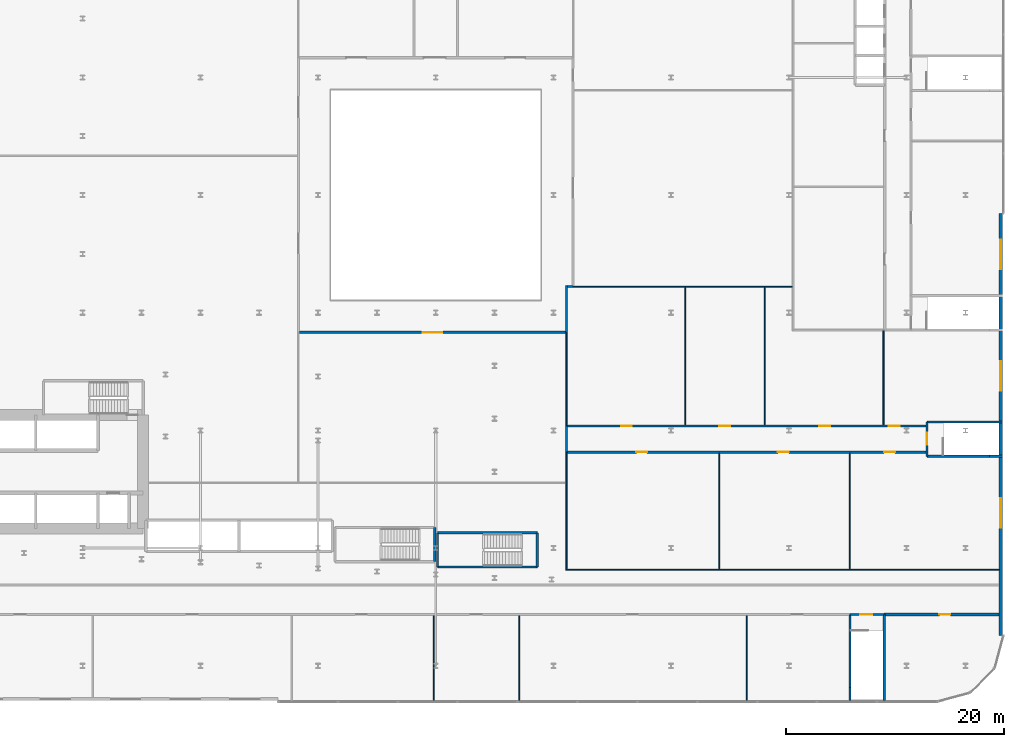
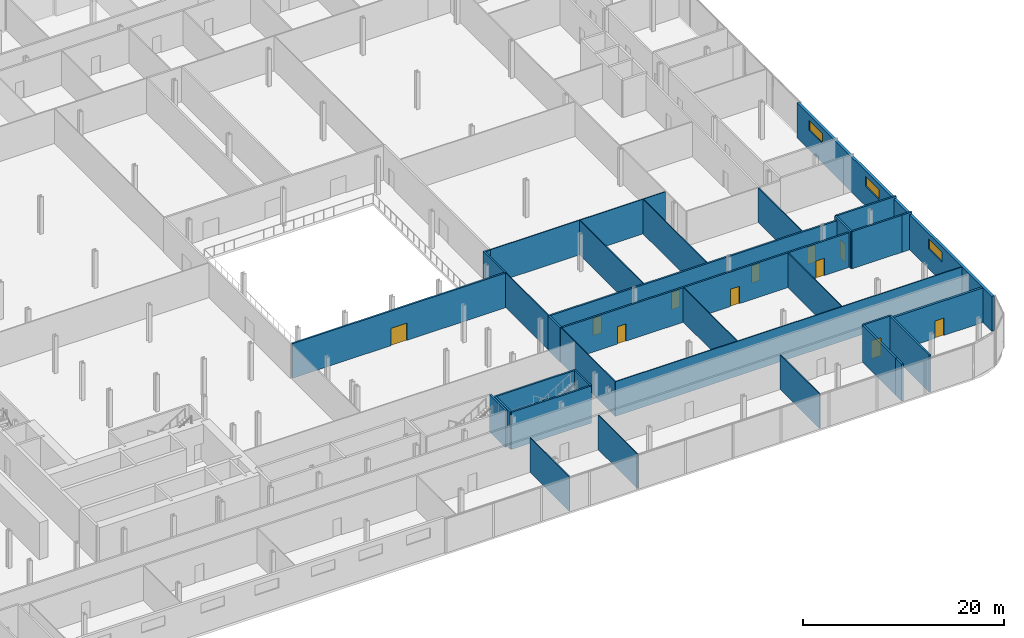
# One storey, part 32 of 43: 33 walls, 11 doors, 3 windows, 14 openings.
"""IFC4 building model written with IfcOpenShell, lengths in metres."""

import ifcopenshell
import ifcopenshell.guid

model = None  # the IFC model being written
_history = None  # IfcOwnerHistory: only IFC2X3 demands one
_inside = {}  # id of a spatial element -> (the spatial element, [elements in it])
_under = {}  # id of a project, library or spatial element -> (it, [spatial elements below it])
_declared = {}  # id of a project -> (the project, [libraries it declares])
_typed = {}  # id of a type object -> (the type object, [elements of that type])
_made_of = {}  # id of a material, layer set ... -> (it, [elements and type objects made of it])


def new_model(schema):
    """Start an empty IFC model of exactly this schema.

    Asked for "IFC4X3", IfcOpenShell would pick the latest addendum, in which some entities
    have other attributes; the version numbers below select the first issue.
    IFC2X3 requires an IfcOwnerHistory on every rooted entity: one is made here for all.
    """
    global model, _history
    if schema == "IFC4X3":
        model = ifcopenshell.file(schema_version=(4, 3, 0, 0))
    else:
        model = ifcopenshell.file(schema=schema)
    _inside.clear()
    _under.clear()
    _declared.clear()
    _typed.clear()
    _made_of.clear()
    _history = None
    if model.schema == "IFC2X3":
        org = make("IfcOrganization", Name="unknown")
        user = make(
            "IfcPersonAndOrganization",
            ThePerson=make("IfcPerson", FamilyName="unknown"),
            TheOrganization=org,
        )
        app = make(
            "IfcApplication",
            ApplicationDeveloper=org,
            Version="unknown",
            ApplicationFullName="unknown",
            ApplicationIdentifier="unknown",
        )
        _history = make(
            "IfcOwnerHistory",
            OwningUser=user,
            OwningApplication=app,
            ChangeAction="ADDED",
            CreationDate=0,
        )
    return model


def make(cls, **values):
    """One entity of the class cls with the attributes given. An attribute that is None is left unset."""
    return model.create_entity(
        cls, **{name: value for name, value in values.items() if value is not None}
    )


def rooted(cls, **values):
    """An entity with a GlobalId (a new one), such as an element, a storey or a relation."""
    return make(cls, GlobalId=ifcopenshell.guid.new(), OwnerHistory=_history, **values)


def si_unit(unit_type, name, prefix=None):
    """IfcSIUnit, for example si_unit("LENGTHUNIT", "METRE", prefix="MILLI")."""
    return make("IfcSIUnit", UnitType=unit_type, Prefix=prefix, Name=name)


def assignment(units):
    """IfcUnitAssignment: the units of a project."""
    return None if units is None else make("IfcUnitAssignment", Units=units)


def point(xyz):
    """IfcCartesianPoint."""
    return None if xyz is None else make("IfcCartesianPoint", Coordinates=xyz)


def direction(xyz):
    """IfcDirection."""
    return None if xyz is None else make("IfcDirection", DirectionRatios=xyz)


def frame(location, z_axis=None, x_axis=None):
    """IfcAxis2Placement3D, a coordinate frame: its origin and axes. An axis left out is left unset."""
    return make(
        "IfcAxis2Placement3D",
        Location=point(location),
        Axis=direction(z_axis),
        RefDirection=direction(x_axis),
    )


def frame_2d(location, x_axis=None):
    """IfcAxis2Placement2D, a coordinate frame in the plane: its origin and x axis."""
    return make(
        "IfcAxis2Placement2D", Location=point(location), RefDirection=direction(x_axis)
    )


def origin():
    """The frame at (0, 0, 0) with its axes left unset."""
    return frame((0.0, 0.0, 0.0))


def place(relative_to, where):
    """IfcLocalPlacement: puts the frame where relative to a parent placement (None: the world)."""
    return make(
        "IfcLocalPlacement", PlacementRelTo=relative_to, RelativePlacement=where
    )


def context(
    kind, dimensions, precision=None, world=None, true_north=None, identifier=None
):
    """IfcGeometricRepresentationContext, for example the 3D "Model" context."""
    return make(
        "IfcGeometricRepresentationContext",
        ContextIdentifier=identifier,
        ContextType=kind,
        CoordinateSpaceDimension=dimensions,
        Precision=precision,
        WorldCoordinateSystem=world,
        TrueNorth=true_north,
    )


def subcontext(parent, identifier, kind, view, scale=None):
    """IfcGeometricRepresentationSubContext, for example "Body" below "Model"."""
    return make(
        "IfcGeometricRepresentationSubContext",
        ContextIdentifier=identifier,
        ContextType=kind,
        ParentContext=parent,
        TargetScale=scale,
        TargetView=view,
    )


def project(units=None, contexts=None):
    """IfcProject with its units and contexts."""
    return rooted(
        "IfcProject",
        Name="project",
        RepresentationContexts=contexts,
        UnitsInContext=assignment(units),
    )


def spatial(cls, under=None, at=None, **own):
    """A site, building, storey or space (cls), placed at a placement, below another one or the project."""
    s = rooted(cls, ObjectPlacement=at, **own)
    if under is not None:
        _under.setdefault(under.id(), (under, []))[1].append(s)
    return s


def profile(cls, at=None, kind="AREA", **sizes):
    """A parametric profile (cls). Its sizes go by their IFC names, for example OverallWidth=200.0."""
    return make(cls, ProfileType=kind, Position=at, **sizes)


def rectangle(**sizes):
    """IfcRectangleProfileDef."""
    return profile("IfcRectangleProfileDef", **sizes)


def extrude(swept, where, along, depth):
    """IfcExtrudedAreaSolid: the profile swept, set in the frame where, extruded along a direction by depth."""
    return make(
        "IfcExtrudedAreaSolid",
        SweptArea=swept,
        Position=where,
        ExtrudedDirection=direction(along),
        Depth=depth,
    )


def shape(context_of_items, identifier, shape_type, items):
    """IfcShapeRepresentation: the items that make up one representation, for example the "Body"."""
    return make(
        "IfcShapeRepresentation",
        ContextOfItems=context_of_items,
        RepresentationIdentifier=identifier,
        RepresentationType=shape_type,
        Items=items,
    )


def source(mapping_origin, context_of_items, identifier, shape_type, items):
    """IfcRepresentationMap: a shape defined once, which mapped items show again and again."""
    return make(
        "IfcRepresentationMap",
        MappingOrigin=mapping_origin,
        MappedRepresentation=shape(context_of_items, identifier, shape_type, items),
    )


def transform(
    local_origin,
    x_axis=None,
    y_axis=None,
    z_axis=None,
    scale=None,
    scale2=None,
    scale3=None,
    uniform=True,
):
    """IfcCartesianTransformationOperator3D, or its non-uniform kind. x_axis, y_axis, z_axis: its Axis1, 2, 3."""
    if uniform:
        return make(
            "IfcCartesianTransformationOperator3D",
            Axis1=direction(x_axis),
            Axis2=direction(y_axis),
            LocalOrigin=point(local_origin),
            Scale=scale,
            Axis3=direction(z_axis),
        )
    return make(
        "IfcCartesianTransformationOperator3DnonUniform",
        Axis1=direction(x_axis),
        Axis2=direction(y_axis),
        LocalOrigin=point(local_origin),
        Scale=scale,
        Axis3=direction(z_axis),
        Scale2=scale2,
        Scale3=scale3,
    )


def mapped(mapping_source, mapping_target):
    """IfcMappedItem: shows the shape of a source again, moved by a transform."""
    return make(
        "IfcMappedItem", MappingSource=mapping_source, MappingTarget=mapping_target
    )


def material(Name=None, Category=None):
    """IfcMaterial."""
    return make("IfcMaterial", Name=Name, Category=Category)


def layer(
    of_material, thickness, ventilated=None, Name=None, Category=None, Priority=None
):
    """IfcMaterialLayer: one layer of a wall or slab, of a material (None: an air gap)."""
    return make(
        "IfcMaterialLayer",
        Material=of_material,
        LayerThickness=thickness,
        IsVentilated=ventilated,
        Name=Name,
        Category=Category,
        Priority=Priority,
    )


def layer_set(layers, Name=None):
    """IfcMaterialLayerSet."""
    return make("IfcMaterialLayerSet", MaterialLayers=layers, LayerSetName=Name)


def made_of(thing, what):
    """Note that an element or type object is made of a material, layer set ...; save() writes the relation."""
    if what is not None:
        _made_of.setdefault(what.id(), (what, []))[1].append(thing)
    return thing


def type_object(cls, material=None, **own):
    """A type object (cls), such as IfcWallType, which elements share."""
    return made_of(rooted(cls, **own), material)


def element(
    cls,
    number,
    at=None,
    inside=None,
    cuts=None,
    type_object=None,
    material=None,
    context=None,
    identifier="Body",
    shape_type=None,
    held_by="IfcProductDefinitionShape",
    body=None,
    shapes=None,
    **own,
):
    """One element of the class cls, such as IfcWall. Its Tag is "e" and its number.

    at: its placement. inside: the storey or other place that contains it. cuts: it is an
    opening in that element (IfcRelVoidsElement). A single representation is given by context,
    identifier, shape_type and body (its items); several are given by shapes. held_by: the class
    of the entity that holds the representations. save() writes the other relations.
    """
    e = rooted(cls, Tag="e%d" % number, ObjectPlacement=at, **own)
    if body is not None:
        shapes = [shape(context, identifier, shape_type, body)]
    if shapes is not None:
        e.Representation = make(held_by, Representations=shapes)
    if inside is not None:
        _inside.setdefault(inside.id(), (inside, []))[1].append(e)
    if cuts is not None:
        rooted(
            "IfcRelVoidsElement", RelatingBuildingElement=cuts, RelatedOpeningElement=e
        )
    if type_object is not None:
        _typed.setdefault(type_object.id(), (type_object, []))[1].append(e)
    return made_of(e, material)


def fill(opening, filler):
    """IfcRelFillsElement: the door or window that sits in an opening."""
    return rooted(
        "IfcRelFillsElement",
        RelatingOpeningElement=opening,
        RelatedBuildingElement=filler,
    )


def aggregate(whole, parts):
    """IfcRelAggregates: a whole, such as a stair, and the parts it consists of."""
    return rooted("IfcRelAggregates", RelatingObject=whole, RelatedObjects=parts)


def save(model, path):
    """Write the relations noted so far, then the file.

    IfcRelAggregates (storeys below a building ...), IfcRelContainedInSpatialStructure (elements
    in a storey), IfcRelDefinesByType, IfcRelAssociatesMaterial and IfcRelDeclares: one each for
    every whole, place, type object, material and project.
    """
    for whole, parts in _under.values():
        aggregate(whole, parts)
    for where, things in _inside.values():
        rooted(
            "IfcRelContainedInSpatialStructure",
            RelatedElements=things,
            RelatingStructure=where,
        )
    for kind, things in _typed.values():
        rooted("IfcRelDefinesByType", RelatedObjects=things, RelatingType=kind)
    for what, things in _made_of.values():
        rooted("IfcRelAssociatesMaterial", RelatedObjects=things, RelatingMaterial=what)
    for by, libraries in _declared.values():
        rooted("IfcRelDeclares", RelatingContext=by, RelatedDefinitions=libraries)
    model.write(path)


model = new_model("IFC4")

# Units and contexts
model_context = context("Model", 3, precision=1e-05, world=origin(), true_north=direction((0.0, 1.0)))
body_context = subcontext(model_context, "Body", "Model", "MODEL_VIEW")
ifc_project = project(units=[si_unit("LENGTHUNIT", "METRE"), si_unit("AREAUNIT", "SQUARE_METRE"), si_unit("VOLUMEUNIT", "CUBIC_METRE"), si_unit("PLANEANGLEUNIT", "RADIAN"), si_unit("MASSUNIT", "GRAM", prefix="KILO")], contexts=[model_context])

# Site, building, storey
site_placement = place(None, origin())
site = spatial("IfcSite", under=ifc_project, at=site_placement, CompositionType="ELEMENT")
building_placement = place(site_placement, origin())
building = spatial("IfcBuilding", under=site, at=building_placement, Name="Kheshtan School and Residences Tower", CompositionType="ELEMENT")
storey_placement = place(building_placement, frame((0.0, 0.0, 26.0)))
storey = spatial("IfcBuildingStorey", under=building, at=storey_placement, Name="L05", CompositionType="ELEMENT", Elevation=26.0)

# Wall, opening, door
ifc_material_1 = material(Name="Gypsum board on steel studs with fire boards", Category="steel")
ifc_layer_1 = layer(ifc_material_1, 0.199951171875)
ifc_layer_set_1 = layer_set([ifc_layer_1], Name="Corridor wall 200")
wall_type_1 = type_object("IfcWallType", Name="Corridor wall 200", PredefinedType="PARTITIONING", material=ifc_layer_set_1)
wall_1_placement = place(storey_placement, frame((67.5, 43.800048828125, 0.0), z_axis=(0.0, 0.0, 1.0), x_axis=(1.0, 0.0, 0.0)))
wall_1 = element("IfcWall", 1, at=wall_1_placement, inside=storey, type_object=wall_type_1, Name="Partition L05-032", PredefinedType="PARTITIONING", context=body_context, shape_type="SweptSolid", body=[
    extrude(rectangle(XDim=24.39990234375, YDim=0.199951171875, at=frame_2d((12.199951171875, 0.0))), origin(), (0.0, 0.0, 1.0), 4.199951171875),
])
opening_1_placement = place(wall_1_placement, frame((11.300048828125, 0.0, 0.0)))
opening_1 = element("IfcOpeningElement", 2, at=opening_1_placement, cuts=wall_1, Name="Opening D05-044", PredefinedType="OPENING", context=body_context, shape_type="SweptSolid", body=[
    extrude(rectangle(XDim=1.800048828125, YDim=2.10009765625, at=frame_2d((0.89990234375, 1.050048828125))), frame((0.0, 0.10986328125, 0.0), z_axis=(0.0, -1.0, 0.0), x_axis=(1.0, 0.0, 0.0)), (0.0, 0.0, 1.0), 0.219970703125),
])
ifc_material_2 = material(Name="Steel-framed fire-resisting door leaf", Category="steel")
door_type_1 = type_object("IfcDoorType", Name="Fire double door FD60 1800 x 2100", OperationType="DOUBLE_DOOR_SINGLE_SWING", PredefinedType="DOOR", material=ifc_material_2)
shared_shape_1 = source(origin(), body_context, "Body", "SweptSolid", [
    extrude(rectangle(XDim=1.800048828125, YDim=2.10009765625, at=frame_2d((0.89990234375, 1.050048828125))), frame((0.0, 0.02490234375, 0.0), z_axis=(0.0, -1.0, 0.0), x_axis=(1.0, 0.0, 0.0)), (0.0, 0.0, 1.0), 0.050048828125),
])
door_1_placement = place(opening_1_placement, origin())
door_1 = element("IfcDoor", 3, at=door_1_placement, inside=storey, type_object=door_type_1, Name="Door D05-044", OperationType="DOUBLE_DOOR_SINGLE_SWING", OverallHeight=2.10009765625, OverallWidth=1.800048828125, PredefinedType="DOOR", context=body_context, shape_type="MappedRepresentation", body=[
    mapped(shared_shape_1, transform((0.0, 0.0, 0.0), x_axis=(1.0, 0.0, 0.0), y_axis=(0.0, 1.0, 0.0), z_axis=(0.0, 0.0, 1.0), scale=1.0)),
])
fill(opening_1, door_1)

# Walls
wall_2_placement = place(storey_placement, frame((92.0, 32.800048828125, 0.0), z_axis=(0.0, 0.0, 1.0), x_axis=(0.0, 1.0, 0.0)))
element("IfcWall", 4, at=wall_2_placement, inside=storey, type_object=wall_type_1, Name="Partition L05-047", PredefinedType="PARTITIONING", context=body_context, shape_type="SweptSolid", body=[
    extrude(rectangle(XDim=2.39990234375, YDim=0.199951171875, at=frame_2d((1.199951171875, 0.0))), origin(), (0.0, 0.0, 1.0), 4.199951171875),
])
wall_3_placement = place(storey_placement, frame((92.0, 43.800048828125, 0.0), z_axis=(0.0, 0.0, 1.0), x_axis=(0.0, 1.0, 0.0)))
element("IfcWall", 5, at=wall_3_placement, inside=storey, type_object=wall_type_1, Name="Partition L05-049", PredefinedType="PARTITIONING", context=body_context, shape_type="SweptSolid", body=[
    extrude(rectangle(XDim=4.300048828125, YDim=0.199951171875, at=frame_2d((2.14990234375, 0.0))), origin(), (0.0, 0.0, 1.0), 4.199951171875),
])

# Wall, openings, doors
wall_4_placement = place(storey_placement, frame((92.10009765625, 32.800048828125, 0.0), z_axis=(0.0, 0.0, 1.0), x_axis=(1.0, 0.0, 0.0)))
wall_4 = element("IfcWall", 6, at=wall_4_placement, inside=storey, type_object=wall_type_1, Name="Partition L05-050", PredefinedType="PARTITIONING", context=body_context, shape_type="SweptSolid", body=[
    extrude(rectangle(XDim=32.880859375, YDim=0.199951171875, at=frame_2d((16.4404296875, 0.0))), origin(), (0.0, 0.0, 1.0), 4.199951171875),
])
opening_2_placement = place(wall_4_placement, frame((6.300048828125, 0.0, 0.0)))
opening_2 = element("IfcOpeningElement", 7, at=opening_2_placement, cuts=wall_4, Name="Opening D05-045", PredefinedType="OPENING", context=body_context, shape_type="SweptSolid", body=[
    extrude(rectangle(XDim=1.0, YDim=2.10009765625, at=frame_2d((0.5, 1.050048828125))), frame((0.0, 0.10986328125, 0.0), z_axis=(0.0, -1.0, 0.0), x_axis=(1.0, 0.0, 0.0)), (0.0, 0.0, 1.0), 0.219970703125),
])
opening_3_placement = place(wall_4_placement, frame((19.300048828125, 0.0, 0.0)))
opening_3 = element("IfcOpeningElement", 8, at=opening_3_placement, cuts=wall_4, Name="Opening D05-046", PredefinedType="OPENING", context=body_context, shape_type="SweptSolid", body=[
    extrude(rectangle(XDim=1.0, YDim=2.10009765625, at=frame_2d((0.5, 1.050048828125))), frame((0.0, 0.10986328125, 0.0), z_axis=(0.0, -1.0, 0.0), x_axis=(1.0, 0.0, 0.0)), (0.0, 0.0, 1.0), 0.219970703125),
])
opening_4_placement = place(wall_4_placement, frame((29.050048828125, 0.0, 0.0)))
opening_4 = element("IfcOpeningElement", 9, at=opening_4_placement, cuts=wall_4, Name="Opening D05-047", PredefinedType="OPENING", context=body_context, shape_type="SweptSolid", body=[
    extrude(rectangle(XDim=1.0, YDim=2.10009765625, at=frame_2d((0.5, 1.050048828125))), frame((0.0, 0.10986328125, 0.0), z_axis=(0.0, -1.0, 0.0), x_axis=(1.0, 0.0, 0.0)), (0.0, 0.0, 1.0), 0.219970703125),
])
door_type_2 = type_object("IfcDoorType", Name="Fire door FD60 1000 x 2100", OperationType="SINGLE_SWING_LEFT", PredefinedType="DOOR", material=ifc_material_2)
shared_shape_2 = source(origin(), body_context, "Body", "SweptSolid", [
    extrude(rectangle(XDim=1.0, YDim=2.10009765625, at=frame_2d((0.5, 1.050048828125))), frame((0.0, 0.02490234375, 0.0), z_axis=(0.0, -1.0, 0.0), x_axis=(1.0, 0.0, 0.0)), (0.0, 0.0, 1.0), 0.050048828125),
])
door_2_placement = place(opening_2_placement, origin())
door_2 = element("IfcDoor", 10, at=door_2_placement, inside=storey, type_object=door_type_2, Name="Door D05-045", OperationType="SINGLE_SWING_RIGHT", OverallHeight=2.10009765625, OverallWidth=1.0, PredefinedType="DOOR", context=body_context, shape_type="MappedRepresentation", body=[
    mapped(shared_shape_2, transform((0.0, 0.0, 0.0), x_axis=(1.0, 0.0, 0.0), y_axis=(0.0, 1.0, 0.0), z_axis=(0.0, 0.0, 1.0), scale=1.0)),
])
fill(opening_2, door_2)
door_3_placement = place(opening_3_placement, origin())
door_3 = element("IfcDoor", 11, at=door_3_placement, inside=storey, type_object=door_type_2, Name="Door D05-046", OperationType="SINGLE_SWING_RIGHT", OverallHeight=2.10009765625, OverallWidth=1.0, PredefinedType="DOOR", context=body_context, shape_type="MappedRepresentation", body=[
    mapped(shared_shape_2, transform((0.0, 0.0, 0.0), x_axis=(1.0, 0.0, 0.0), y_axis=(0.0, 1.0, 0.0), z_axis=(0.0, 0.0, 1.0), scale=1.0)),
])
fill(opening_3, door_3)
door_4_placement = place(opening_4_placement, origin())
door_4 = element("IfcDoor", 12, at=door_4_placement, inside=storey, type_object=door_type_2, Name="Door D05-047", OperationType="SINGLE_SWING_LEFT", OverallHeight=2.10009765625, OverallWidth=1.0, PredefinedType="DOOR", context=body_context, shape_type="MappedRepresentation", body=[
    mapped(shared_shape_2, transform((0.0, 0.0, 0.0), x_axis=(1.0, 0.0, 0.0), y_axis=(0.0, 1.0, 0.0), z_axis=(0.0, 0.0, 1.0), scale=1.0)),
])
fill(opening_4, door_4)

wall_5_placement = place(storey_placement, frame((92.10009765625, 35.199951171875, 0.0), z_axis=(0.0, 0.0, 1.0), x_axis=(1.0, 0.0, 0.0)))
wall_5 = element("IfcWall", 13, at=wall_5_placement, inside=storey, type_object=wall_type_1, Name="Partition L05-051", PredefinedType="PARTITIONING", context=body_context, shape_type="SweptSolid", body=[
    extrude(rectangle(XDim=32.8798828125, YDim=0.199951171875, at=frame_2d((16.43994140625, 0.0))), origin(), (0.0, 0.0, 1.0), 4.199951171875),
])
opening_5_placement = place(wall_5_placement, frame((4.908935546875, 0.0, 0.0)))
opening_5 = element("IfcOpeningElement", 14, at=opening_5_placement, cuts=wall_5, Name="Opening D05-048", PredefinedType="OPENING", context=body_context, shape_type="SweptSolid", body=[
    extrude(rectangle(XDim=1.0, YDim=2.10009765625, at=frame_2d((0.5, 1.050048828125))), frame((0.0, 0.10986328125, 0.0), z_axis=(0.0, -1.0, 0.0), x_axis=(1.0, 0.0, 0.0)), (0.0, 0.0, 1.0), 0.219970703125),
])
opening_6_placement = place(wall_5_placement, frame((13.931884765625, 0.0, 0.0)))
opening_6 = element("IfcOpeningElement", 15, at=opening_6_placement, cuts=wall_5, Name="Opening D05-049", PredefinedType="OPENING", context=body_context, shape_type="SweptSolid", body=[
    extrude(rectangle(XDim=1.0, YDim=2.10009765625, at=frame_2d((0.5, 1.050048828125))), frame((0.0, 0.10986328125, 0.0), z_axis=(0.0, -1.0, 0.0), x_axis=(1.0, 0.0, 0.0)), (0.0, 0.0, 1.0), 0.219970703125),
])
opening_7_placement = place(wall_5_placement, frame((23.091064453125, 0.0, 0.0)))
opening_7 = element("IfcOpeningElement", 16, at=opening_7_placement, cuts=wall_5, Name="Opening D05-050", PredefinedType="OPENING", context=body_context, shape_type="SweptSolid", body=[
    extrude(rectangle(XDim=1.0, YDim=2.10009765625, at=frame_2d((0.5, 1.050048828125))), frame((0.0, 0.10986328125, 0.0), z_axis=(0.0, -1.0, 0.0), x_axis=(1.0, 0.0, 0.0)), (0.0, 0.0, 1.0), 0.219970703125),
])
opening_8_placement = place(wall_5_placement, frame((29.47705078125, 0.0, 0.0)))
opening_8 = element("IfcOpeningElement", 17, at=opening_8_placement, cuts=wall_5, Name="Opening D05-051", PredefinedType="OPENING", context=body_context, shape_type="SweptSolid", body=[
    extrude(rectangle(XDim=1.0, YDim=2.10009765625, at=frame_2d((0.5, 1.050048828125))), frame((0.0, 0.10986328125, 0.0), z_axis=(0.0, -1.0, 0.0), x_axis=(1.0, 0.0, 0.0)), (0.0, 0.0, 1.0), 0.219970703125),
])
door_5_placement = place(opening_5_placement, origin())
door_5 = element("IfcDoor", 18, at=door_5_placement, inside=storey, type_object=door_type_2, Name="Door D05-048", OperationType="SINGLE_SWING_LEFT", OverallHeight=2.10009765625, OverallWidth=1.0, PredefinedType="DOOR", context=body_context, shape_type="MappedRepresentation", body=[
    mapped(shared_shape_2, transform((0.0, 0.0, 0.0), x_axis=(1.0, 0.0, 0.0), y_axis=(0.0, 1.0, 0.0), z_axis=(0.0, 0.0, 1.0), scale=1.0)),
])
fill(opening_5, door_5)
door_6_placement = place(opening_6_placement, origin())
door_6 = element("IfcDoor", 19, at=door_6_placement, inside=storey, type_object=door_type_2, Name="Door D05-049", OperationType="SINGLE_SWING_LEFT", OverallHeight=2.10009765625, OverallWidth=1.0, PredefinedType="DOOR", context=body_context, shape_type="MappedRepresentation", body=[
    mapped(shared_shape_2, transform((0.0, 0.0, 0.0), x_axis=(1.0, 0.0, 0.0), y_axis=(0.0, 1.0, 0.0), z_axis=(0.0, 0.0, 1.0), scale=1.0)),
])
fill(opening_6, door_6)
door_7_placement = place(opening_7_placement, origin())
door_7 = element("IfcDoor", 20, at=door_7_placement, inside=storey, type_object=door_type_2, Name="Door D05-050", OperationType="SINGLE_SWING_LEFT", OverallHeight=2.10009765625, OverallWidth=1.0, PredefinedType="DOOR", context=body_context, shape_type="MappedRepresentation", body=[
    mapped(shared_shape_2, transform((0.0, 0.0, 0.0), x_axis=(1.0, 0.0, 0.0), y_axis=(0.0, 1.0, 0.0), z_axis=(0.0, 0.0, 1.0), scale=1.0)),
])
fill(opening_7, door_7)
door_8_placement = place(opening_8_placement, origin())
door_8 = element("IfcDoor", 21, at=door_8_placement, inside=storey, type_object=door_type_2, Name="Door D05-051", OperationType="SINGLE_SWING_LEFT", OverallHeight=2.10009765625, OverallWidth=1.0, PredefinedType="DOOR", context=body_context, shape_type="MappedRepresentation", body=[
    mapped(shared_shape_2, transform((0.0, 0.0, 0.0), x_axis=(1.0, 0.0, 0.0), y_axis=(0.0, 1.0, 0.0), z_axis=(0.0, 0.0, 1.0), scale=1.0)),
])
fill(opening_8, door_8)

# Walls
wall_6_placement = place(storey_placement, frame((92.10009765625, 48.0, 0.0), z_axis=(0.0, 0.0, 1.0), x_axis=(1.0, 0.0, 0.0)))
element("IfcWall", 22, at=wall_6_placement, inside=storey, type_object=wall_type_1, Name="Partition L05-052", PredefinedType="PARTITIONING", context=body_context, shape_type="SweptSolid", body=[
    extrude(rectangle(XDim=0.5, YDim=0.199951171875, at=frame_2d((0.25, 0.0))), origin(), (0.0, 0.0, 1.0), 4.199951171875),
])
ifc_material_3 = material(Name="Gypsum board on steel studs", Category="steel")
ifc_layer_2 = layer(ifc_material_3, 0.10009765625)
ifc_layer_set_2 = layer_set([ifc_layer_2], Name="Gypsum partition 100")
wall_type_2 = type_object("IfcWallType", Name="Gypsum partition 100", PredefinedType="PARTITIONING", material=ifc_layer_set_2)
for number, where, z_axis, x_axis, name in (
    (23, (79.825927734375, 10.0, 0.0), (0.0, 0.0, 1.0), (0.0, 1.0, 0.0), "Partition L05-038"),
    (24, (87.652099609375, 10.0, 0.0), (0.0, 0.0, 1.0), (0.0, 1.0, 0.0), "Partition L05-044"),
):
    element("IfcWall", number, at=place(storey_placement, frame(where, z_axis=z_axis, x_axis=x_axis)), inside=storey, type_object=wall_type_2, Name=name, PredefinedType="PARTITIONING", context=body_context, shape_type="SweptSolid", body=[
        extrude(rectangle(XDim=7.800048828125, YDim=0.10009765625, at=frame_2d((3.89990234375, 0.0))), origin(), (0.0, 0.0, 1.0), 4.199951171875),
    ])
wall_7_placement = place(storey_placement, frame((91.949951171875, 22.0, 0.0), z_axis=(0.0, 0.0, 1.0), x_axis=(1.0, 0.0, 0.0)))
element("IfcWall", 25, at=wall_7_placement, inside=storey, type_object=wall_type_2, Name="Partition L05-045", PredefinedType="PARTITIONING", context=body_context, shape_type="SweptSolid", body=[
    extrude(rectangle(XDim=39.7509765625, YDim=0.10009765625, at=frame_2d((19.87548828125, 0.0))), origin(), (0.0, 0.0, 1.0), 4.199951171875),
])
wall_8_placement = place(storey_placement, frame((92.0, 22.050048828125, 0.0), z_axis=(0.0, 0.0, 1.0), x_axis=(0.0, 1.0, 0.0)))
element("IfcWall", 26, at=wall_8_placement, inside=storey, type_object=wall_type_2, Name="Partition L05-046", PredefinedType="PARTITIONING", context=body_context, shape_type="SweptSolid", body=[
    extrude(rectangle(XDim=10.75, YDim=0.10009765625, at=frame_2d((5.375, 0.0))), origin(), (0.0, 0.0, 1.0), 4.199951171875),
])
wall_9_placement = place(storey_placement, frame((92.0, 35.199951171875, 0.0), z_axis=(0.0, 0.0, 1.0), x_axis=(0.0, 1.0, 0.0)))
element("IfcWall", 27, at=wall_9_placement, inside=storey, type_object=wall_type_2, Name="Partition L05-048", PredefinedType="PARTITIONING", context=body_context, shape_type="SweptSolid", body=[
    extrude(rectangle(XDim=8.60009765625, YDim=0.10009765625, at=frame_2d((4.300048828125, 0.0))), origin(), (0.0, 0.0, 1.0), 4.199951171875),
])
wall_10_placement = place(storey_placement, frame((92.60009765625, 48.0, 0.0), z_axis=(0.0, 0.0, 1.0), x_axis=(1.0, 0.0, 0.0)))
element("IfcWall", 28, at=wall_10_placement, inside=storey, type_object=wall_type_2, Name="Partition L05-053", PredefinedType="PARTITIONING", context=body_context, shape_type="SweptSolid", body=[
    extrude(rectangle(XDim=20.137939453125, YDim=0.10009765625, at=frame_2d((10.06884765625, 0.0))), origin(), (0.0, 0.0, 1.0), 4.199951171875),
])
wall_11_placement = place(storey_placement, frame((102.908935546875, 35.300048828125, 0.0), z_axis=(0.0, 0.0, 1.0), x_axis=(0.0, 1.0, 0.0)))
element("IfcWall", 29, at=wall_11_placement, inside=storey, type_object=wall_type_2, Name="Partition L05-061", PredefinedType="PARTITIONING", context=body_context, shape_type="SweptSolid", body=[
    extrude(rectangle(XDim=12.64990234375, YDim=0.10009765625, at=frame_2d((6.324951171875, 0.0))), origin(), (0.0, 0.0, 1.0), 4.199951171875),
])
wall_12_placement = place(storey_placement, frame((106.0, 22.050048828125, 0.0), z_axis=(0.0, 0.0, 1.0), x_axis=(0.0, 1.0, 0.0)))
element("IfcWall", 30, at=wall_12_placement, inside=storey, type_object=wall_type_2, Name="Partition L05-062", PredefinedType="PARTITIONING", context=body_context, shape_type="SweptSolid", body=[
    extrude(rectangle(XDim=10.64990234375, YDim=0.10009765625, at=frame_2d((5.324951171875, 0.0))), origin(), (0.0, 0.0, 1.0), 4.199951171875),
])
wall_13_placement = place(storey_placement, frame((108.52197265625, 10.0, 0.0), z_axis=(0.0, 0.0, 1.0), x_axis=(0.0, 1.0, 0.0)))
element("IfcWall", 31, at=wall_13_placement, inside=storey, type_object=wall_type_2, Name="Partition L05-064", PredefinedType="PARTITIONING", context=body_context, shape_type="SweptSolid", body=[
    extrude(rectangle(XDim=7.800048828125, YDim=0.10009765625, at=frame_2d((3.89990234375, 0.0))), origin(), (0.0, 0.0, 1.0), 4.199951171875),
])
wall_14_placement = place(storey_placement, frame((110.181884765625, 35.300048828125, 0.0), z_axis=(0.0, 0.0, 1.0), x_axis=(0.0, 1.0, 0.0)))
element("IfcWall", 32, at=wall_14_placement, inside=storey, type_object=wall_type_2, Name="Partition L05-065", PredefinedType="PARTITIONING", context=body_context, shape_type="SweptSolid", body=[
    extrude(rectangle(XDim=12.64990234375, YDim=0.10009765625, at=frame_2d((6.324951171875, 0.0))), origin(), (0.0, 0.0, 1.0), 4.199951171875),
])
wall_15_placement = place(storey_placement, frame((118.0, 22.050048828125, 0.0), z_axis=(0.0, 0.0, 1.0), x_axis=(0.0, 1.0, 0.0)))
element("IfcWall", 33, at=wall_15_placement, inside=storey, type_object=wall_type_2, Name="Partition L05-074", PredefinedType="PARTITIONING", context=body_context, shape_type="SweptSolid", body=[
    extrude(rectangle(XDim=10.64990234375, YDim=0.10009765625, at=frame_2d((5.324951171875, 0.0))), origin(), (0.0, 0.0, 1.0), 4.199951171875),
])
wall_16_placement = place(storey_placement, frame((121.091064453125, 35.300048828125, 0.0), z_axis=(0.0, 0.0, 1.0), x_axis=(0.0, 1.0, 0.0)))
element("IfcWall", 34, at=wall_16_placement, inside=storey, type_object=wall_type_2, Name="Partition L05-079", PredefinedType="PARTITIONING", context=body_context, shape_type="SweptSolid", body=[
    extrude(rectangle(XDim=8.637939453125, YDim=0.10009765625, at=frame_2d((4.31884765625, 0.0))), origin(), (0.0, 0.0, 1.0), 4.199951171875),
])

# Wall, opening, door
ifc_material_4 = material(Name="Fire-board and steel stud wall with mineral wool", Category="steel")
ifc_layer_3 = layer(ifc_material_4, 0.25)
ifc_layer_set_3 = layer_set([ifc_layer_3], Name="Plant room wall 250")
wall_type_3 = type_object("IfcWallType", Name="Plant room wall 250", PredefinedType="PARTITIONING", material=ifc_layer_set_3)
wall_17_placement = place(storey_placement, frame((121.14990234375, 17.89990234375, 0.0), z_axis=(0.0, 0.0, 1.0), x_axis=(1.0, 0.0, 0.0)))
wall_17 = element("IfcWall", 35, at=wall_17_placement, inside=storey, type_object=wall_type_3, Name="Partition L05-080", PredefinedType="PARTITIONING", context=body_context, shape_type="SweptSolid", body=[
    extrude(rectangle(XDim=10.551025390625, YDim=0.25, at=frame_2d((5.275390625, 0.0))), origin(), (0.0, 0.0, 1.0), 4.199951171875),
])
opening_9_placement = place(wall_17_placement, frame((5.06494140625, 0.0, 0.0)))
opening_9 = element("IfcOpeningElement", 36, at=opening_9_placement, cuts=wall_17, Name="Opening D05-043", PredefinedType="OPENING", context=body_context, shape_type="SweptSolid", body=[
    extrude(rectangle(XDim=1.0, YDim=2.10009765625, at=frame_2d((0.5, 1.050048828125))), frame((0.0, 0.135009765625, 0.0), z_axis=(0.0, -1.0, 0.0), x_axis=(1.0, 0.0, 0.0)), (0.0, 0.0, 1.0), 0.27001953125),
])
door_type_3 = type_object("IfcDoorType", Name="Fire door FD120 1000 x 2100", OperationType="SINGLE_SWING_LEFT", PredefinedType="DOOR", material=ifc_material_2)
shared_shape_3 = source(origin(), body_context, "Body", "SweptSolid", [
    extrude(rectangle(XDim=1.0, YDim=2.10009765625, at=frame_2d((0.5, 1.050048828125))), frame((0.0, 0.02490234375, 0.0), z_axis=(0.0, -1.0, 0.0), x_axis=(1.0, 0.0, 0.0)), (0.0, 0.0, 1.0), 0.050048828125),
])
door_9_placement = place(opening_9_placement, origin())
door_9 = element("IfcDoor", 37, at=door_9_placement, inside=storey, type_object=door_type_3, Name="Door D05-043", OperationType="SINGLE_SWING_RIGHT", OverallHeight=2.10009765625, OverallWidth=1.0, PredefinedType="DOOR", context=body_context, shape_type="MappedRepresentation", body=[
    mapped(shared_shape_3, transform((0.0, 0.0, 0.0), x_axis=(1.0, 0.0, 0.0), y_axis=(0.0, 1.0, 0.0), z_axis=(0.0, 0.0, 1.0), scale=1.0)),
])
fill(opening_9, door_9)

# Wall, openings, windows
ifc_material_5 = material(Name="Concrete C40/50 with ceramic cladding and mineral wool insulation", Category="concrete")
ifc_layer_4 = layer(ifc_material_5, 0.300048828125)
ifc_layer_set_4 = layer_set([ifc_layer_4], Name="Podium external wall 300")
wall_type_4 = type_object("IfcWallType", Name="Podium external wall 300", PredefinedType="SOLIDWALL", material=ifc_layer_set_4)
wall_18_placement = place(storey_placement, frame((131.85009765625, 54.719970703125, 0.0), z_axis=(0.0, 0.0, 1.0), x_axis=(0.0, -1.0, 0.0)))
wall_18 = element("IfcWall", 38, at=wall_18_placement, inside=storey, type_object=wall_type_4, Name="Podium external wall L05 8.1", PredefinedType="SOLIDWALL", context=body_context, shape_type="SweptSolid", body=[
    extrude(rectangle(XDim=38.719970703125, YDim=0.300048828125, at=frame_2d((19.35986328125, 0.0))), origin(), (0.0, 0.0, 1.0), 4.25),
])
opening_10_placement = place(wall_18_placement, frame((2.43505859375, 0.0, 2.39990234375)))
opening_10 = element("IfcOpeningElement", 39, at=opening_10_placement, cuts=wall_18, Name="Opening WN-G", PredefinedType="OPENING", context=body_context, shape_type="SweptSolid", body=[
    extrude(rectangle(XDim=2.699951171875, YDim=1.199951171875, at=frame_2d((1.35009765625, 0.60009765625))), frame((0.0, 0.16015625, 0.0), z_axis=(0.0, -1.0, 0.0), x_axis=(1.0, 0.0, 0.0)), (0.0, 0.0, 1.0), 0.320068359375),
])
opening_11_placement = place(wall_18_placement, frame((13.580078125, 0.0, 2.39990234375)))
opening_11 = element("IfcOpeningElement", 40, at=opening_11_placement, cuts=wall_18, Name="Opening WN-G", PredefinedType="OPENING", context=body_context, shape_type="SweptSolid", body=[
    extrude(rectangle(XDim=2.699951171875, YDim=1.199951171875, at=frame_2d((1.35009765625, 0.60009765625))), frame((0.0, 0.16015625, 0.0), z_axis=(0.0, -1.0, 0.0), x_axis=(1.0, 0.0, 0.0)), (0.0, 0.0, 1.0), 0.320068359375),
])
opening_12_placement = place(wall_18_placement, frame((26.159912109375, 0.0, 2.39990234375)))
opening_12 = element("IfcOpeningElement", 41, at=opening_12_placement, cuts=wall_18, Name="Opening WN-G", PredefinedType="OPENING", context=body_context, shape_type="SweptSolid", body=[
    extrude(rectangle(XDim=2.699951171875, YDim=1.199951171875, at=frame_2d((1.35009765625, 0.60009765625))), frame((0.0, 0.16015625, 0.0), z_axis=(0.0, -1.0, 0.0), x_axis=(1.0, 0.0, 0.0)), (0.0, 0.0, 1.0), 0.320068359375),
])
ifc_material_6 = material(Name="Clear low-e glass in thermally broken aluminium frame", Category="aluminium")
window_type = type_object("IfcWindowType", Name="Window WN-G", PartitioningType="SINGLE_PANEL", PredefinedType="WINDOW", material=ifc_material_6)
shared_shape_4 = source(origin(), body_context, "Body", "SweptSolid", [
    extrude(rectangle(XDim=2.699951171875, YDim=1.199951171875, at=frame_2d((1.35009765625, 0.60009765625))), frame((0.0, 0.030029296875, 0.0), z_axis=(0.0, -1.0, 0.0), x_axis=(1.0, 0.0, 0.0)), (0.0, 0.0, 1.0), 0.06005859375),
])
window_1_placement = place(opening_10_placement, origin())
window_1 = element("IfcWindow", 42, at=window_1_placement, inside=storey, type_object=window_type, Name="Window L05 8.1.1", OverallHeight=1.199951171875, OverallWidth=2.699951171875, PartitioningType="SINGLE_PANEL", PredefinedType="WINDOW", context=body_context, shape_type="MappedRepresentation", body=[
    mapped(shared_shape_4, transform((0.0, 0.0, 0.0), x_axis=(1.0, 0.0, 0.0), y_axis=(0.0, 1.0, 0.0), z_axis=(0.0, 0.0, 1.0), scale=1.0)),
])
fill(opening_10, window_1)
window_2_placement = place(opening_11_placement, origin())
window_2 = element("IfcWindow", 43, at=window_2_placement, inside=storey, type_object=window_type, Name="Window L05 8.1.2", OverallHeight=1.199951171875, OverallWidth=2.699951171875, PartitioningType="SINGLE_PANEL", PredefinedType="WINDOW", context=body_context, shape_type="MappedRepresentation", body=[
    mapped(shared_shape_4, transform((0.0, 0.0, 0.0), x_axis=(1.0, 0.0, 0.0), y_axis=(0.0, 1.0, 0.0), z_axis=(0.0, 0.0, 1.0), scale=1.0)),
])
fill(opening_11, window_2)
window_3_placement = place(opening_12_placement, origin())
window_3 = element("IfcWindow", 44, at=window_3_placement, inside=storey, type_object=window_type, Name="Window L05 8.1.3", OverallHeight=1.199951171875, OverallWidth=2.699951171875, PartitioningType="SINGLE_PANEL", PredefinedType="WINDOW", context=body_context, shape_type="MappedRepresentation", body=[
    mapped(shared_shape_4, transform((0.0, 0.0, 0.0), x_axis=(1.0, 0.0, 0.0), y_axis=(0.0, 1.0, 0.0), z_axis=(0.0, 0.0, 1.0), scale=1.0)),
])
fill(opening_12, window_3)

# Walls
ifc_material_7 = material(Name="Concrete C40/50", Category="concrete")
ifc_layer_5 = layer(ifc_material_7, 0.199951171875)
ifc_layer_set_5 = layer_set([ifc_layer_5], Name="Stair enclosure wall 200 Concrete C40/50")
wall_type_5 = type_object("IfcWallType", Name="Stair enclosure wall 200 Concrete C40/50", PredefinedType="SHEAR", material=ifc_layer_set_5)
for number, where, z_axis, x_axis, name in (
    (45, (80.159912109375, 22.25, 0.0), (0.0, 0.0, 1.0), (1.0, 0.0, 0.0), "Stair enclosure wall ST4"),
    (46, (80.159912109375, 25.39990234375, 0.0), (0.0, 0.0, 1.0), (1.0, 0.0, 0.0), "Stair enclosure wall ST4"),
):
    element("IfcWall", number, at=place(storey_placement, frame(where, z_axis=z_axis, x_axis=x_axis)), inside=storey, type_object=wall_type_5, Name=name, PredefinedType="SHEAR", context=body_context, shape_type="SweptSolid", body=[
        extrude(rectangle(XDim=9.16015625, YDim=0.199951171875, at=frame_2d((4.580078125, 0.0))), origin(), (0.0, 0.0, 1.0), 4.5),
    ])
for number, where, z_axis, x_axis, name in (
    (47, (80.159912109375, 22.25, 0.0), (0.0, 0.0, 1.0), (0.0, 1.0, 0.0), "Stair enclosure wall ST4"),
    (48, (89.320068359375, 22.25, 0.0), (0.0, 0.0, 1.0), (0.0, 1.0, 0.0), "Stair enclosure wall ST4"),
    (49, (79.909912109375, 22.75, 0.0), (0.0, 0.0, 1.0), (0.0, 1.0, 0.0), "Stair enclosure wall ST5"),
):
    element("IfcWall", number, at=place(storey_placement, frame(where, z_axis=z_axis, x_axis=x_axis)), inside=storey, type_object=wall_type_5, Name=name, PredefinedType="SHEAR", context=body_context, shape_type="SweptSolid", body=[
        extrude(rectangle(XDim=3.14990234375, YDim=0.199951171875, at=frame_2d((1.574951171875, 0.0))), origin(), (0.0, 0.0, 1.0), 4.5),
    ])

# Wall, opening, door
wall_19_placement = place(storey_placement, frame((118.0, 17.89990234375, 0.0), z_axis=(0.0, 0.0, 1.0), x_axis=(1.0, 0.0, 0.0)))
wall_19 = element("IfcWall", 50, at=wall_19_placement, inside=storey, type_object=wall_type_5, Name="Stair enclosure wall", PredefinedType="SHEAR", context=body_context, shape_type="SweptSolid", body=[
    extrude(rectangle(XDim=3.14990234375, YDim=0.199951171875, at=frame_2d((1.574951171875, 0.0))), origin(), (0.0, 0.0, 1.0), 4.5),
])
opening_13_placement = place(wall_19_placement, frame((0.949951171875, 0.0, 0.0)))
opening_13 = element("IfcOpeningElement", 51, at=opening_13_placement, cuts=wall_19, Name="Opening SD90", PredefinedType="OPENING", context=body_context, shape_type="SweptSolid", body=[
    extrude(rectangle(XDim=1.10009765625, YDim=2.199951171875, at=frame_2d((0.550048828125, 1.10009765625))), frame((0.0, 0.10986328125, 0.0), z_axis=(0.0, -1.0, 0.0), x_axis=(1.0, 0.0, 0.0)), (0.0, 0.0, 1.0), 0.219970703125),
])
ifc_material_8 = material(Name="Steel door leaf, galvanised", Category="steel")
door_type_4 = type_object("IfcDoorType", Name="Stair door 1100 steel 90 min", OperationType="SINGLE_SWING_LEFT", PredefinedType="DOOR", material=ifc_material_8)
shared_shape_5 = source(origin(), body_context, "Body", "SweptSolid", [
    extrude(rectangle(XDim=1.10009765625, YDim=2.199951171875, at=frame_2d((0.550048828125, 1.10009765625))), frame((0.0, 0.02490234375, 0.0), z_axis=(0.0, -1.0, 0.0), x_axis=(1.0, 0.0, 0.0)), (0.0, 0.0, 1.0), 0.050048828125),
])
door_10_placement = place(opening_13_placement, origin())
door_10 = element("IfcDoor", 52, at=door_10_placement, inside=storey, type_object=door_type_4, Name="Stair door", OperationType="SINGLE_SWING_RIGHT", OverallHeight=2.199951171875, OverallWidth=1.10009765625, PredefinedType="DOOR", context=body_context, shape_type="MappedRepresentation", body=[
    mapped(shared_shape_5, transform((0.0, 0.0, 0.0), x_axis=(1.0, 0.0, 0.0), y_axis=(0.0, 1.0, 0.0), z_axis=(0.0, 0.0, 1.0), scale=1.0)),
])
fill(opening_13, door_10)

# Walls
wall_20_placement = place(storey_placement, frame((118.0, 10.0, 0.0), z_axis=(0.0, 0.0, 1.0), x_axis=(0.0, 1.0, 0.0)))
element("IfcWall", 53, at=wall_20_placement, inside=storey, type_object=wall_type_5, Name="Stair enclosure wall", PredefinedType="SHEAR", context=body_context, shape_type="SweptSolid", body=[
    extrude(rectangle(XDim=1.199951171875, YDim=0.199951171875, at=frame_2d((0.60009765625, 0.0))), origin(), (0.0, 0.0, 1.0), 4.5),
])
wall_21_placement = place(storey_placement, frame((118.0, 11.199951171875, 0.0), z_axis=(0.0, 0.0, 1.0), x_axis=(0.0, 1.0, 0.0)))
element("IfcWall", 54, at=wall_21_placement, inside=storey, type_object=wall_type_5, Name="Stair enclosure wall", PredefinedType="SHEAR", context=body_context, shape_type="SweptSolid", body=[
    extrude(rectangle(XDim=6.699951171875, YDim=0.199951171875, at=frame_2d((3.35009765625, 0.0))), origin(), (0.0, 0.0, 1.0), 4.5),
])
wall_22_placement = place(storey_placement, frame((121.14990234375, 10.0, 0.0), z_axis=(0.0, 0.0, 1.0), x_axis=(0.0, 1.0, 0.0)))
element("IfcWall", 55, at=wall_22_placement, inside=storey, type_object=wall_type_5, Name="Stair enclosure wall", PredefinedType="SHEAR", context=body_context, shape_type="SweptSolid", body=[
    extrude(rectangle(XDim=7.89990234375, YDim=0.199951171875, at=frame_2d((3.949951171875, 0.0))), origin(), (0.0, 0.0, 1.0), 4.5),
])
wall_23_placement = place(storey_placement, frame((125.080078125, 32.425048828125, 0.0), z_axis=(0.0, 0.0, 1.0), x_axis=(1.0, 0.0, 0.0)))
element("IfcWall", 56, at=wall_23_placement, inside=storey, type_object=wall_type_5, Name="Stair enclosure wall", PredefinedType="SHEAR", context=body_context, shape_type="SweptSolid", body=[
    extrude(rectangle(XDim=5.719970703125, YDim=0.199951171875, at=frame_2d((2.85986328125, 0.0))), origin(), (0.0, 0.0, 1.0), 4.5),
])
wall_24_placement = place(storey_placement, frame((130.800048828125, 32.425048828125, 0.0), z_axis=(0.0, 0.0, 1.0), x_axis=(1.0, 0.0, 0.0)))
element("IfcWall", 57, at=wall_24_placement, inside=storey, type_object=wall_type_5, Name="Stair enclosure wall", PredefinedType="SHEAR", context=body_context, shape_type="SweptSolid", body=[
    extrude(rectangle(XDim=1.199951171875, YDim=0.199951171875, at=frame_2d((0.60009765625, 0.0))), origin(), (0.0, 0.0, 1.0), 4.5),
])
wall_25_placement = place(storey_placement, frame((125.080078125, 35.574951171875, 0.0), z_axis=(0.0, 0.0, 1.0), x_axis=(1.0, 0.0, 0.0)))
element("IfcWall", 58, at=wall_25_placement, inside=storey, type_object=wall_type_5, Name="Stair enclosure wall", PredefinedType="SHEAR", context=body_context, shape_type="SweptSolid", body=[
    extrude(rectangle(XDim=6.919921875, YDim=0.199951171875, at=frame_2d((3.4599609375, 0.0))), origin(), (0.0, 0.0, 1.0), 4.5),
])

# Wall, opening, door
wall_26_placement = place(storey_placement, frame((125.080078125, 32.425048828125, 0.0), z_axis=(0.0, 0.0, 1.0), x_axis=(0.0, 1.0, 0.0)))
wall_26 = element("IfcWall", 59, at=wall_26_placement, inside=storey, type_object=wall_type_5, Name="Stair enclosure wall", PredefinedType="SHEAR", context=body_context, shape_type="SweptSolid", body=[
    extrude(rectangle(XDim=3.14990234375, YDim=0.199951171875, at=frame_2d((1.574951171875, 0.0))), origin(), (0.0, 0.0, 1.0), 4.5),
])
opening_14_placement = place(wall_26_placement, frame((1.074951171875, 0.0, 0.0)))
opening_14 = element("IfcOpeningElement", 60, at=opening_14_placement, cuts=wall_26, Name="Opening SD90", PredefinedType="OPENING", context=body_context, shape_type="SweptSolid", body=[
    extrude(rectangle(XDim=1.10009765625, YDim=2.199951171875, at=frame_2d((0.550048828125, 1.10009765625))), frame((0.0, 0.10986328125, 0.0), z_axis=(0.0, -1.0, 0.0), x_axis=(1.0, 0.0, 0.0)), (0.0, 0.0, 1.0), 0.219970703125),
])
door_11_placement = place(opening_14_placement, origin())
door_11 = element("IfcDoor", 61, at=door_11_placement, inside=storey, type_object=door_type_4, Name="Stair door", OperationType="SINGLE_SWING_LEFT", OverallHeight=2.199951171875, OverallWidth=1.10009765625, PredefinedType="DOOR", context=body_context, shape_type="MappedRepresentation", body=[
    mapped(shared_shape_5, transform((0.0, 0.0, 0.0), x_axis=(1.0, 0.0, 0.0), y_axis=(0.0, 1.0, 0.0), z_axis=(0.0, 0.0, 1.0), scale=1.0)),
])
fill(opening_14, door_11)

save(model, "model.ifc")
